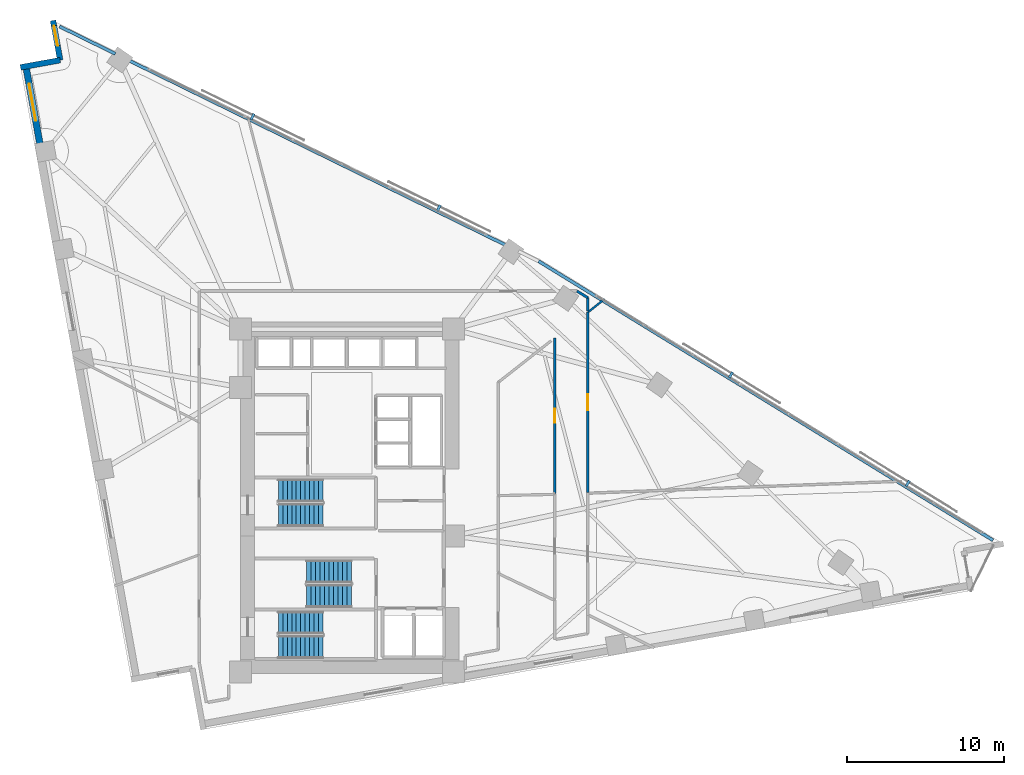
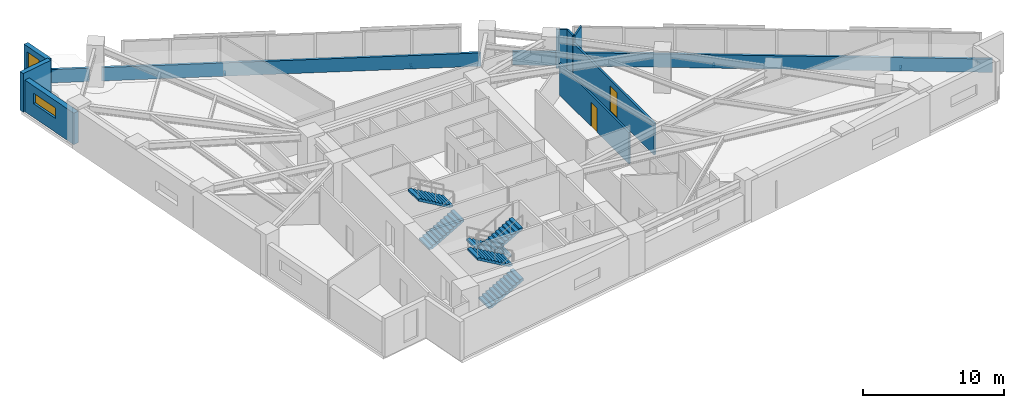
# One storey, part 17 of 19: 11 walls, 6 stair flights, 4 discrete accessories, 2 doors, 2 windows, 4 openings, 3 elements without a shape of their own.
"""IFC4 building model written with IfcOpenShell, lengths in metres."""

from ifc_helpers import new_model, si_unit, direction, frame, frame_2d, origin, origin_2d, place, context, subcontext, project, spatial, polyline, rectangle, outline, extrude, material, layer, layer_set, type_object, element, fill, aggregate, save


model = new_model("IFC4")

# Units and contexts
model_context = context("Model", 3, precision=1e-05, world=origin(), true_north=direction((0.0, 1.0)))
body_context = subcontext(model_context, "Body", "Model", "MODEL_VIEW")
ifc_project = project(units=[si_unit("LENGTHUNIT", "METRE"), si_unit("AREAUNIT", "SQUARE_METRE"), si_unit("VOLUMEUNIT", "CUBIC_METRE"), si_unit("PLANEANGLEUNIT", "RADIAN"), si_unit("MASSUNIT", "GRAM", prefix="KILO")], contexts=[model_context])

# Site, building, storey
site_placement = place(None, origin())
site = spatial("IfcSite", under=ifc_project, at=site_placement, CompositionType="ELEMENT")
building_placement = place(site_placement, origin())
building = spatial("IfcBuilding", under=site, at=building_placement, Name="Narakoshi Arena Tower", CompositionType="ELEMENT")
storey_placement = place(building_placement, frame((0.0, 0.0, 113.699951171875)))
storey = spatial("IfcBuildingStorey", under=building, at=storey_placement, Name="L30", CompositionType="ELEMENT", Elevation=113.699951171875)

# Wall, opening, door
ifc_material_1 = material(Name="Gypsum plasterboard fire-rated partition")
ifc_layer_1 = layer(ifc_material_1, 0.1650390625)
ifc_layer_set_1 = layer_set([ifc_layer_1], Name="Gypsum plasterboard fire-rated partition")
wall_type_1 = type_object("IfcWallType", Name="WL-CORR-165", PredefinedType="PARTITIONING", material=ifc_layer_set_1)
wall_1_placement = place(storey_placement, frame((94.0849609375, 46.124755859375, 0.0), z_axis=(0.0, 0.0, 1.0), x_axis=(0.0, 1.0, 0.0)))
wall_1 = element("IfcWall", 1, at=wall_1_placement, inside=storey, type_object=wall_type_1, Name="L30 Corridor Partition 05-1", PredefinedType="PARTITIONING", context=body_context, shape_type="SweptSolid", body=[
    extrude(rectangle(XDim=11.466552734375, YDim=0.1650390625, at=frame_2d((5.7333984375, 0.0))), origin(), (0.0, 0.0, 1.0), 2.72509765625),
])
opening_1_placement = place(wall_1_placement, frame((5.233154296875, 0.0, 0.0)))
opening_1 = element("IfcOpeningElement", 2, at=opening_1_placement, cuts=wall_1, Name="Opening D-06", PredefinedType="OPENING", context=body_context, shape_type="SweptSolid", body=[
    extrude(rectangle(XDim=1.0, YDim=2.199951171875, at=frame_2d((0.5, 1.10009765625))), frame((0.0, 0.092529296875, 0.0), z_axis=(0.0, -1.0, 0.0), x_axis=(1.0, 0.0, 0.0)), (0.0, 0.0, 1.0), 0.18505859375),
])
ifc_material_2 = material(Name="Stained oak solid-core timber", Category="wood")
door_type_1 = type_object("IfcDoorType", Name="DR-OFF-1000", OperationType="NOTDEFINED", PredefinedType="DOOR", material=ifc_material_2)
door_1_placement = place(opening_1_placement, frame((1.0, 0.0, 0.0), z_axis=(0.0, 0.0, 1.0), x_axis=(-1.0, 0.0, 0.0)))
door_1 = element("IfcDoor", 3, at=door_1_placement, inside=storey, type_object=door_type_1, Name="DR-L30-019", OperationType="SINGLE_SWING_RIGHT", OverallHeight=2.199951171875, OverallWidth=1.0, PredefinedType="DOOR", context=body_context, shape_type="SweptSolid", body=[
    extrude(rectangle(XDim=1.0, YDim=2.199951171875, at=frame_2d((0.5, 1.10009765625))), frame((0.0, 0.02490234375, 0.0), z_axis=(0.0, -1.0, 0.0), x_axis=(1.0, 0.0, 0.0)), (0.0, 0.0, 1.0), 0.050048828125),
])
fill(opening_1, door_1)

# Walls
wall_2_placement = place(storey_placement, frame((94.0849609375, 57.65771484375, 0.0), z_axis=(0.0, 0.0, 1.0), x_axis=(0.0, 1.0, 0.0)))
element("IfcWall", 4, at=wall_2_placement, inside=storey, type_object=wall_type_1, Name="L30 Corridor Partition 07-2", PredefinedType="PARTITIONING", context=body_context, shape_type="SweptSolid", body=[
    extrude(rectangle(XDim=0.84716796875, YDim=0.1650390625, at=frame_2d((0.423583984375, 0.0))), origin(), (0.0, 0.0, 1.0), 3.340087890625),
])
wall_3_placement = place(storey_placement, frame((94.0849609375, 58.5048828125, 0.0), z_axis=(0.0, 0.0, 1.0), x_axis=(-0.852062515162, 0.523440035014, 0.0)))
element("IfcWall", 5, at=wall_3_placement, inside=storey, type_object=wall_type_1, Name="L30 Corridor Partition 07-3", PredefinedType="PARTITIONING", context=body_context, shape_type="SweptSolid", body=[
    extrude(rectangle(XDim=0.808349609375, YDim=0.1650390625, at=frame_2d((0.404296875, 0.0))), origin(), (0.0, 0.0, 1.0), 3.340087890625),
])
ifc_material_3 = material(Name="Precast concrete C45/55", Category="concrete")
ifc_layer_2 = layer(ifc_material_3, 0.25)
ifc_layer_set_2 = layer_set([ifc_layer_2], Name="Precast concrete C45/55")
wall_type_2 = type_object("IfcWallType", Name="WL-PARA-250", PredefinedType="PARAPET", material=ifc_layer_set_2)
wall_4_placement = place(storey_placement, frame((119.86474609375, 43.0703125, 0.0), z_axis=(0.0, 0.0, 1.0), x_axis=(-0.852110824326, 0.52336138859, 0.0)))
element("IfcWall", 6, at=wall_4_placement, inside=storey, type_object=wall_type_2, Name="L30 Hypotenuse Sill Upstand Parapet 1-01", PredefinedType="PARAPET", context=body_context, shape_type="SweptSolid", body=[
    extrude(rectangle(XDim=33.931640625, YDim=0.199951171875, at=frame_2d((16.9658203125, 0.0))), origin(), (0.0, 0.0, 1.0), 1.150146484375),
])
wall_5_placement = place(storey_placement, frame((88.9208984375, 61.82275390625, 0.0), z_axis=(0.0, 0.0, 1.0), x_axis=(-0.897993533426, 0.440008652103, 0.0)))
element("IfcWall", 7, at=wall_5_placement, inside=storey, type_object=wall_type_2, Name="L30 Hypotenuse Sill Upstand Parapet 2-02", PredefinedType="PARAPET", context=body_context, shape_type="SweptSolid", body=[
    extrude(rectangle(XDim=26.86376953125, YDim=0.199951171875, at=frame_2d((13.431884765625, 0.0))), origin(), (0.0, 0.0, 1.0), 1.150146484375),
])
wall_6_placement = place(storey_placement, frame((64.031982421875, 74.01806640625, 0.0), z_axis=(0.0, 0.0, 1.0), x_axis=(-0.89799103332, 0.440013754417, 0.0)))
element("IfcWall", 8, at=wall_6_placement, inside=storey, type_object=wall_type_2, Name="L30 Hypotenuse Sill Upstand Parapet 2-03", PredefinedType="PARAPET", context=body_context, shape_type="SweptSolid", body=[
    extrude(rectangle(XDim=3.954833984375, YDim=0.199951171875, at=frame_2d((1.9775390625, 0.0))), origin(), (0.0, 0.0, 1.0), 1.150146484375),
])
ifc_layer_3 = layer(ifc_material_1, 0.125)
ifc_layer_set_3 = layer_set([ifc_layer_3], Name="Gypsum plasterboard fire-rated partition")
wall_type_3 = type_object("IfcWallType", Name="WL-PART-125", PredefinedType="PARTITIONING", material=ifc_layer_set_3)
wall_7_placement = place(storey_placement, frame((94.12158203125, 57.59130859375, 0.0), z_axis=(0.0, 0.0, 1.0), x_axis=(0.777954919643, 0.628320095973, 0.0)))
element("IfcWall", 9, at=wall_7_placement, inside=storey, type_object=wall_type_3, Name="L30 Inter-Room Partition 05-07", PredefinedType="PARTITIONING", context=body_context, shape_type="SweptSolid", body=[
    extrude(rectangle(XDim=1.336181640625, YDim=0.125, at=frame_2d((0.66796875, 0.0))), origin(), (0.0, 0.0, 1.0), 3.340087890625),
])

# Wall, opening, window
ifc_layer_4 = layer(ifc_material_3, 0.419921875)
ifc_layer_set_4 = layer_set([ifc_layer_4], Name="Precast concrete C45/55")
wall_type_4 = type_object("IfcWallType", Name="WL-POD-420", PredefinedType="SOLIDWALL", material=ifc_layer_set_4)
wall_8_placement = place(storey_placement, frame((58.341796875, 73.2197265625, 0.0), z_axis=(0.0, 0.0, 1.0), x_axis=(0.177981837245, -0.984033772597, 0.0)))
wall_8 = element("IfcWall", 10, at=wall_8_placement, inside=storey, type_object=wall_type_4, Name="L30 Architectural Concrete Facade Wall LEGB-1", PredefinedType="SOLIDWALL", context=body_context, shape_type="SweptSolid", body=[
    extrude(rectangle(XDim=5.540283203125, YDim=0.419921875, at=frame_2d((2.77001953125, 0.0))), origin(), (0.0, 0.0, 1.0), 2.72509765625),
])
opening_2_placement = place(wall_8_placement, frame((1.11767578125, 0.0, 1.199951171875)))
opening_2 = element("IfcOpeningElement", 11, at=opening_2_placement, cuts=wall_8, Name="Opening WN-01", PredefinedType="OPENING", context=body_context, shape_type="SweptSolid", body=[
    extrude(rectangle(XDim=2.39990234375, YDim=0.89990234375, at=frame_2d((1.199951171875, 0.449951171875))), frame((0.0, 0.219970703125, 0.0), z_axis=(0.0, -1.0, 0.0), x_axis=(1.0, 0.0, 0.0)), (0.0, 0.0, 1.0), 0.43994140625),
])
ifc_material_4 = material(Name="Bronze-tinted low-E laminated glass", Category="glass")
window_type_1 = type_object("IfcWindowType", Name="WIN-SLT-24x09", PartitioningType="SINGLE_PANEL", PredefinedType="WINDOW", material=ifc_material_4)
window_1_placement = place(opening_2_placement, origin())
window_1 = element("IfcWindow", 12, at=window_1_placement, inside=storey, type_object=window_type_1, Name="L30 LEGB1 Horizontal Slot Window 1", OverallHeight=0.89990234375, OverallWidth=2.39990234375, PartitioningType="SINGLE_PANEL", PredefinedType="WINDOW", context=body_context, shape_type="SweptSolid", body=[
    extrude(rectangle(XDim=2.39990234375, YDim=0.89990234375, at=frame_2d((1.199951171875, 0.449951171875))), frame((0.0, 0.030029296875, 0.0), z_axis=(0.0, -1.0, 0.0), x_axis=(1.0, 0.0, 0.0)), (0.0, 0.0, 1.0), 0.06005859375),
])
fill(opening_2, window_1)

wall_9_placement = place(storey_placement, frame((60.066162109375, 76.139404296875, 0.0), z_axis=(0.0, 0.0, 1.0), x_axis=(0.177897493713, -0.984049024048, 0.0)))
wall_9 = element("IfcWall", 13, at=wall_9_placement, inside=storey, type_object=wall_type_4, Name="L30 Re-Entrant Corner Notch Wall NTN-1", PredefinedType="SOLIDWALL", context=body_context, shape_type="SweptSolid", body=[
    extrude(rectangle(XDim=2.56640625, YDim=0.360107421875, at=frame_2d((1.283203125, 0.0))), origin(), (0.0, 0.0, 1.0), 3.340087890625),
])
opening_3_placement = place(wall_9_placement, frame((0.340087890625, 0.0, 0.449951171875)))
opening_3 = element("IfcOpeningElement", 14, at=opening_3_placement, cuts=wall_9, Name="Opening WN-06", PredefinedType="OPENING", context=body_context, shape_type="SweptSolid", body=[
    extrude(rectangle(XDim=1.300048828125, YDim=2.39990234375, at=frame_2d((0.64990234375, 1.199951171875))), frame((0.0, 0.18994140625, 0.0), z_axis=(0.0, -1.0, 0.0), x_axis=(1.0, 0.0, 0.0)), (0.0, 0.0, 1.0), 0.380126953125),
])
window_type_2 = type_object("IfcWindowType", Name="WIN-NTC-16x24", PartitioningType="SINGLE_PANEL", PredefinedType="WINDOW", material=ifc_material_4)
window_2_placement = place(opening_3_placement, origin())
window_2 = element("IfcWindow", 15, at=window_2_placement, inside=storey, type_object=window_type_2, Name="L30 Corner Notch Window NTN", OverallHeight=2.39990234375, OverallWidth=1.300048828125, PartitioningType="SINGLE_PANEL", PredefinedType="WINDOW", context=body_context, shape_type="SweptSolid", body=[
    extrude(rectangle(XDim=1.300048828125, YDim=2.39990234375, at=frame_2d((0.64990234375, 1.199951171875))), frame((0.0, 0.030029296875, 0.0), z_axis=(0.0, -1.0, 0.0), x_axis=(1.0, 0.0, 0.0)), (0.0, 0.0, 1.0), 0.06005859375),
])
fill(opening_3, window_2)

# Wall
wall_10_placement = place(storey_placement, frame((60.522705078125, 73.614013671875, 0.0), z_axis=(0.0, 0.0, 1.0), x_axis=(-0.984046012923, -0.177914149102, 0.0)))
element("IfcWall", 16, at=wall_10_placement, inside=storey, type_object=wall_type_4, Name="L30 Re-Entrant Corner Notch Wall NTN-2", PredefinedType="SOLIDWALL", context=body_context, shape_type="SweptSolid", body=[
    extrude(rectangle(XDim=2.566162109375, YDim=0.360107421875, at=frame_2d((1.283203125, 0.0))), origin(), (0.0, 0.0, 1.0), 3.340087890625),
])

# Wall, opening, door
ifc_material_5 = material(Name="Moisture-resistant cement-board partition")
ifc_layer_5 = layer(ifc_material_5, 0.14501953125)
ifc_layer_set_5 = layer_set([ifc_layer_5], Name="Moisture-resistant cement-board partition")
wall_type_5 = type_object("IfcWallType", Name="WL-WET-145", PredefinedType="PARTITIONING", material=ifc_layer_set_5)
wall_11_placement = place(storey_placement, frame((91.985107421875, 55.941650390625, 0.0), z_axis=(0.0, 0.0, 1.0), x_axis=(0.0, -1.0, 0.0)))
wall_11 = element("IfcWall", 17, at=wall_11_placement, inside=storey, type_object=wall_type_5, Name="L30 Corridor Partition 06-1", PredefinedType="PARTITIONING", context=body_context, shape_type="SweptSolid", body=[
    extrude(rectangle(XDim=9.887451171875, YDim=0.14501953125, at=frame_2d((4.94384765625, 0.0))), origin(), (0.0, 0.0, 1.0), 2.72509765625),
])
opening_4_placement = place(wall_11_placement, frame((4.49365234375, 0.0, 0.0)))
opening_4 = element("IfcOpeningElement", 18, at=opening_4_placement, cuts=wall_11, Name="Opening D-08", PredefinedType="OPENING", context=body_context, shape_type="SweptSolid", body=[
    extrude(rectangle(XDim=0.89990234375, YDim=2.10009765625, at=frame_2d((0.449951171875, 1.050048828125))), frame((0.0, 0.08251953125, 0.0), z_axis=(0.0, -1.0, 0.0), x_axis=(1.0, 0.0, 0.0)), (0.0, 0.0, 1.0), 0.1650390625),
])
ifc_material_6 = material(Name="Moisture-resistant laminate timber", Category="wood")
door_type_2 = type_object("IfcDoorType", Name="DR-WC-900", OperationType="NOTDEFINED", PredefinedType="DOOR", material=ifc_material_6)
door_2_placement = place(opening_4_placement, frame((0.89990234375, 0.0, 0.0), z_axis=(0.0, 0.0, 1.0), x_axis=(-1.0, 0.0, 0.0)))
door_2 = element("IfcDoor", 19, at=door_2_placement, inside=storey, type_object=door_type_2, Name="DR-L30-020", OperationType="SINGLE_SWING_LEFT", OverallHeight=2.10009765625, OverallWidth=0.89990234375, PredefinedType="DOOR", context=body_context, shape_type="SweptSolid", body=[
    extrude(rectangle(XDim=0.89990234375, YDim=2.10009765625, at=frame_2d((0.449951171875, 1.050048828125))), frame((0.0, 0.02490234375, 0.0), z_axis=(0.0, -1.0, 0.0), x_axis=(1.0, 0.0, 0.0)), (0.0, 0.0, 1.0), 0.050048828125),
])
fill(opening_4, door_2)

# Stair, stair flights
ifc_material_7 = material(Name="Concrete C45/55", Category="concrete")
stair_type = type_object("IfcStairType", Name="STR-CORE-360", PredefinedType="TWO_STRAIGHT_RUN_STAIR", material=ifc_material_7)
stair_1_placement = place(storey_placement, origin())
stair_1 = element("IfcStair", 20, at=stair_1_placement, inside=storey, type_object=stair_type, Name="L30 Core Escape Stair ST1", PredefinedType="TWO_STRAIGHT_RUN_STAIR")
stair_flight_type = type_object("IfcStairFlightType", Name="FLT-145-160", PredefinedType="STRAIGHT", material=ifc_material_3)
stair_flight_1_placement = place(storey_placement, frame((74.39990234375, 36.27490234375, 0.0), z_axis=(0.0, 0.0, 1.0), x_axis=(1.0, 0.0, 0.0)))
stair_flight_1 = element("IfcStairFlight", 21, at=stair_flight_1_placement, type_object=stair_flight_type, Name="ST1 flight 1", NumberOfRisers=11, NumberOfTreads=10, PredefinedType="STRAIGHT", RiserHeight=0.163636364, TreadLength=0.285, context=body_context, shape_type="SweptSolid", body=[
    extrude(outline(polyline([(0.0, 0.0), (0.0, 0.16357421875), (0.284912109375, 0.16357421875), (0.284912109375, 0.327392578125), (0.570068359375, 0.327392578125), (0.570068359375, 0.490966796875), (0.85498046875, 0.490966796875), (0.85498046875, 0.654541015625), (1.139892578125, 0.654541015625), (1.139892578125, 0.818115234375), (1.425048828125, 0.818115234375), (1.425048828125, 0.98193359375), (1.7099609375, 0.98193359375), (1.7099609375, 1.1455078125), (1.9951171875, 1.1455078125), (1.9951171875, 1.30908203125), (2.280029296875, 1.30908203125), (2.280029296875, 1.47265625), (2.56494140625, 1.47265625), (2.56494140625, 1.636474609375), (2.85009765625, 1.636474609375), (2.85009765625, 1.800048828125), (2.85009765625, 1.463623046875), (0.301025390625, 0.0), (0.0, 0.0)])), frame((0.0, 0.72509765625, 0.0), z_axis=(0.0, -1.0, 0.0), x_axis=(1.0, 0.0, 0.0)), (0.0, 0.0, 1.0), 1.449951171875),
])
stair_flight_2_placement = place(storey_placement, frame((77.25, 37.824951171875, 1.800048828125), z_axis=(0.0, 0.0, 1.0), x_axis=(-1.0, 0.0, 0.0)))
stair_flight_2 = element("IfcStairFlight", 22, at=stair_flight_2_placement, type_object=stair_flight_type, Name="ST1 flight 2", NumberOfRisers=11, NumberOfTreads=10, PredefinedType="STRAIGHT", RiserHeight=0.163636364, TreadLength=0.285, context=body_context, shape_type="SweptSolid", body=[
    extrude(outline(polyline([(0.0, 0.0), (0.0, 0.16357421875), (0.284912109375, 0.16357421875), (0.284912109375, 0.327392578125), (0.570068359375, 0.327392578125), (0.570068359375, 0.490966796875), (0.85498046875, 0.490966796875), (0.85498046875, 0.654541015625), (1.139892578125, 0.654541015625), (1.139892578125, 0.818115234375), (1.425048828125, 0.818115234375), (1.425048828125, 0.98193359375), (1.7099609375, 0.98193359375), (1.7099609375, 1.1455078125), (1.9951171875, 1.1455078125), (1.9951171875, 1.30908203125), (2.280029296875, 1.30908203125), (2.280029296875, 1.47265625), (2.56494140625, 1.47265625), (2.56494140625, 1.636474609375), (2.85009765625, 1.636474609375), (2.85009765625, 1.800048828125), (2.85009765625, 1.463623046875), (0.301025390625, 0.0), (0.0, 0.0)])), frame((0.0, 0.72509765625, 0.0), z_axis=(0.0, -1.0, 0.0), x_axis=(1.0, 0.0, 0.0)), (0.0, 0.0, 1.0), 1.449951171875),
])
aggregate(stair_1, [stair_flight_1, stair_flight_2])

stair_2_placement = place(storey_placement, origin())
stair_2 = element("IfcStair", 23, at=stair_2_placement, inside=storey, type_object=stair_type, Name="L30 Core Escape Stair ST2", PredefinedType="TWO_STRAIGHT_RUN_STAIR")
stair_flight_3_placement = place(storey_placement, frame((79.050048828125, 41.074951171875, 0.0), z_axis=(0.0, 0.0, 1.0), x_axis=(-1.0, 0.0, 0.0)))
stair_flight_3 = element("IfcStairFlight", 24, at=stair_flight_3_placement, type_object=stair_flight_type, Name="ST2 flight 1", NumberOfRisers=11, NumberOfTreads=10, PredefinedType="STRAIGHT", RiserHeight=0.163636364, TreadLength=0.285, context=body_context, shape_type="SweptSolid", body=[
    extrude(outline(polyline([(0.0, 0.0), (0.0, 0.16357421875), (0.284912109375, 0.16357421875), (0.284912109375, 0.327392578125), (0.570068359375, 0.327392578125), (0.570068359375, 0.490966796875), (0.85498046875, 0.490966796875), (0.85498046875, 0.654541015625), (1.139892578125, 0.654541015625), (1.139892578125, 0.818115234375), (1.425048828125, 0.818115234375), (1.425048828125, 0.98193359375), (1.7099609375, 0.98193359375), (1.7099609375, 1.1455078125), (1.9951171875, 1.1455078125), (1.9951171875, 1.30908203125), (2.280029296875, 1.30908203125), (2.280029296875, 1.47265625), (2.56494140625, 1.47265625), (2.56494140625, 1.636474609375), (2.85009765625, 1.636474609375), (2.85009765625, 1.800048828125), (2.85009765625, 1.463623046875), (0.301025390625, 0.0), (0.0, 0.0)])), frame((0.0, 0.72509765625, 0.0), z_axis=(0.0, -1.0, 0.0), x_axis=(1.0, 0.0, 0.0)), (0.0, 0.0, 1.0), 1.449951171875),
])
stair_flight_4_placement = place(storey_placement, frame((76.199951171875, 39.52490234375, 1.800048828125), z_axis=(0.0, 0.0, 1.0), x_axis=(1.0, 0.0, 0.0)))
stair_flight_4 = element("IfcStairFlight", 25, at=stair_flight_4_placement, type_object=stair_flight_type, Name="ST2 flight 2", NumberOfRisers=11, NumberOfTreads=10, PredefinedType="STRAIGHT", RiserHeight=0.163636364, TreadLength=0.285, context=body_context, shape_type="SweptSolid", body=[
    extrude(outline(polyline([(0.0, 0.0), (0.0, 0.16357421875), (0.284912109375, 0.16357421875), (0.284912109375, 0.327392578125), (0.570068359375, 0.327392578125), (0.570068359375, 0.490966796875), (0.85498046875, 0.490966796875), (0.85498046875, 0.654541015625), (1.139892578125, 0.654541015625), (1.139892578125, 0.818115234375), (1.425048828125, 0.818115234375), (1.425048828125, 0.98193359375), (1.7099609375, 0.98193359375), (1.7099609375, 1.1455078125), (1.9951171875, 1.1455078125), (1.9951171875, 1.30908203125), (2.280029296875, 1.30908203125), (2.280029296875, 1.47265625), (2.56494140625, 1.47265625), (2.56494140625, 1.636474609375), (2.85009765625, 1.636474609375), (2.85009765625, 1.800048828125), (2.85009765625, 1.463623046875), (0.301025390625, 0.0), (0.0, 0.0)])), frame((0.0, 0.72509765625, 0.0), z_axis=(0.0, -1.0, 0.0), x_axis=(1.0, 0.0, 0.0)), (0.0, 0.0, 1.0), 1.449951171875),
])
aggregate(stair_2, [stair_flight_3, stair_flight_4])

stair_3_placement = place(storey_placement, origin())
stair_3 = element("IfcStair", 26, at=stair_3_placement, inside=storey, type_object=stair_type, Name="L30 Core Escape Stair ST3", PredefinedType="TWO_STRAIGHT_RUN_STAIR")
stair_flight_5_placement = place(storey_placement, frame((74.39990234375, 44.675048828125, 0.0), z_axis=(0.0, 0.0, 1.0), x_axis=(1.0, 0.0, 0.0)))
stair_flight_5 = element("IfcStairFlight", 27, at=stair_flight_5_placement, type_object=stair_flight_type, Name="ST3 flight 1", NumberOfRisers=11, NumberOfTreads=10, PredefinedType="STRAIGHT", RiserHeight=0.163636364, TreadLength=0.285, context=body_context, shape_type="SweptSolid", body=[
    extrude(outline(polyline([(0.0, 0.0), (0.0, 0.16357421875), (0.284912109375, 0.16357421875), (0.284912109375, 0.327392578125), (0.570068359375, 0.327392578125), (0.570068359375, 0.490966796875), (0.85498046875, 0.490966796875), (0.85498046875, 0.654541015625), (1.139892578125, 0.654541015625), (1.139892578125, 0.818115234375), (1.425048828125, 0.818115234375), (1.425048828125, 0.98193359375), (1.7099609375, 0.98193359375), (1.7099609375, 1.1455078125), (1.9951171875, 1.1455078125), (1.9951171875, 1.30908203125), (2.280029296875, 1.30908203125), (2.280029296875, 1.47265625), (2.56494140625, 1.47265625), (2.56494140625, 1.636474609375), (2.85009765625, 1.636474609375), (2.85009765625, 1.800048828125), (2.85009765625, 1.463623046875), (0.301025390625, 0.0), (0.0, 0.0)])), frame((0.0, 0.72509765625, 0.0), z_axis=(0.0, -1.0, 0.0), x_axis=(1.0, 0.0, 0.0)), (0.0, 0.0, 1.0), 1.449951171875),
])
stair_flight_6_placement = place(storey_placement, frame((77.25, 46.22509765625, 1.800048828125), z_axis=(0.0, 0.0, 1.0), x_axis=(-1.0, 0.0, 0.0)))
stair_flight_6 = element("IfcStairFlight", 28, at=stair_flight_6_placement, type_object=stair_flight_type, Name="ST3 flight 2", NumberOfRisers=11, NumberOfTreads=10, PredefinedType="STRAIGHT", RiserHeight=0.163636364, TreadLength=0.285, context=body_context, shape_type="SweptSolid", body=[
    extrude(outline(polyline([(0.0, 0.0), (0.0, 0.16357421875), (0.284912109375, 0.16357421875), (0.284912109375, 0.327392578125), (0.570068359375, 0.327392578125), (0.570068359375, 0.490966796875), (0.85498046875, 0.490966796875), (0.85498046875, 0.654541015625), (1.139892578125, 0.654541015625), (1.139892578125, 0.818115234375), (1.425048828125, 0.818115234375), (1.425048828125, 0.98193359375), (1.7099609375, 0.98193359375), (1.7099609375, 1.1455078125), (1.9951171875, 1.1455078125), (1.9951171875, 1.30908203125), (2.280029296875, 1.30908203125), (2.280029296875, 1.47265625), (2.56494140625, 1.47265625), (2.56494140625, 1.636474609375), (2.85009765625, 1.636474609375), (2.85009765625, 1.800048828125), (2.85009765625, 1.463623046875), (0.301025390625, 0.0), (0.0, 0.0)])), frame((0.0, 0.72509765625, 0.0), z_axis=(0.0, -1.0, 0.0), x_axis=(1.0, 0.0, 0.0)), (0.0, 0.0, 1.0), 1.449951171875),
])
aggregate(stair_3, [stair_flight_5, stair_flight_6])

# Discrete accessories
ifc_material_8 = material(Name="Structural steel S355J2", Category="steel")
discrete_accessory_type = type_object("IfcDiscreteAccessoryType", Name="ACC-BRK-SCR", PredefinedType="BRACKET", material=ifc_material_8)
for number, where, z_axis, x_axis, name in (
    (29, (114.442138671875, 46.6826171875, -0.080078125), (0.0, 0.0, 1.0), (-0.852110807003, 0.523361416794, 0.0), "L30 Solar Screen Support Bracket SHD-L30-SCR1-1"),
    (30, (103.1943359375, 53.5908203125, -0.080078125), (0.0, 0.0, 1.0), (-0.852110807003, 0.523361416794, 0.0), "L30 Solar Screen Support Bracket SHD-L30-SCR1-2"),
    (31, (84.6044921875, 64.205078125, -0.080078125), (0.0, 0.0, 1.0), (-0.897996860024, 0.440001862936, 0.0), "L30 Solar Screen Support Bracket SHD-L30-SCR2-1"),
    (32, (72.7509765625, 70.01318359375, -0.080078125), (0.0, 0.0, 1.0), (-0.897996860024, 0.440001862936, 0.0), "L30 Solar Screen Support Bracket SHD-L30-SCR2-2"),
):
    element("IfcDiscreteAccessory", number, at=place(storey_placement, frame(where, z_axis=z_axis, x_axis=x_axis)), inside=storey, type_object=discrete_accessory_type, Name=name, PredefinedType="BRACKET", context=body_context, shape_type="SweptSolid", body=[
        extrude(rectangle(XDim=0.159912109375, YDim=0.425048828125, at=origin_2d()), origin(), (0.0, 0.0, 1.0), 0.199951171875),
    ])

save(model, "model.ifc")
